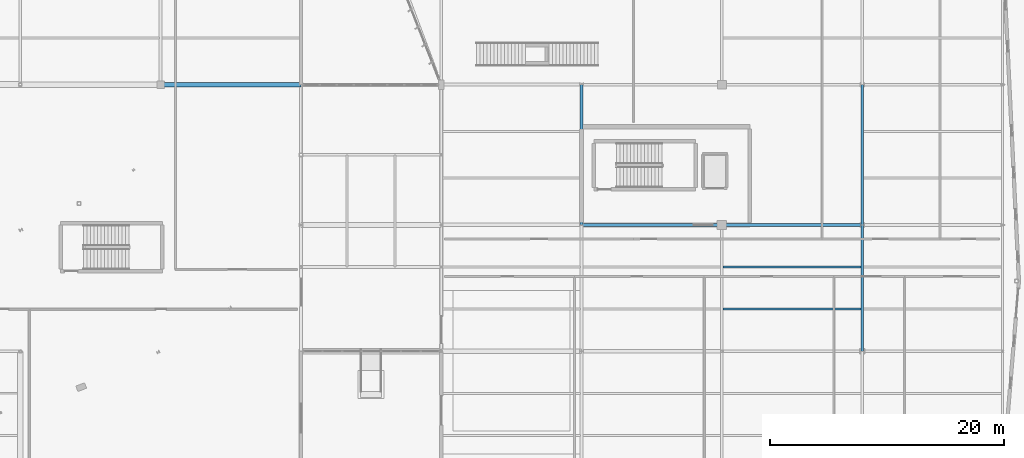
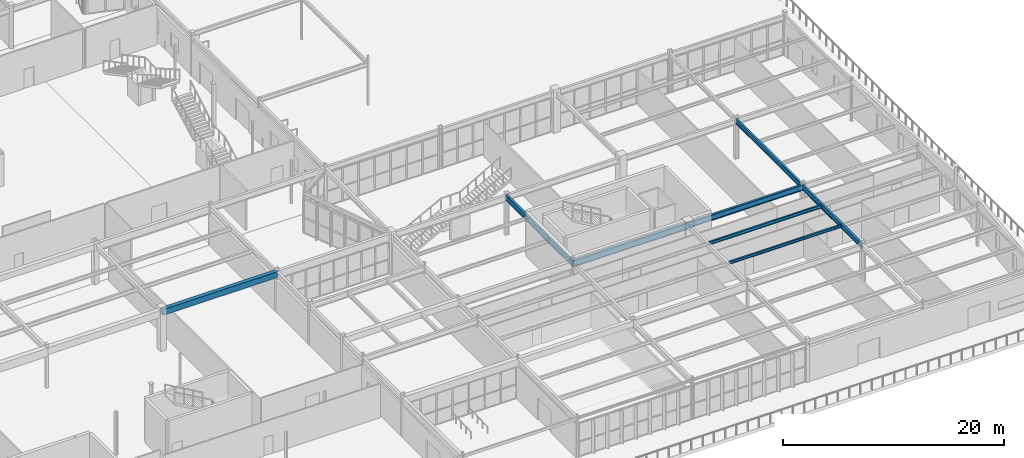
# One storey, part 91 of 199: 8 beams.
"""IFC4 building model written with IfcOpenShell, lengths in metres."""

from ifc_helpers import new_model, si_unit, direction, frame, origin, origin_2d, place, context, subcontext, project, spatial, rectangle, i_section, extrude, material, material_profile, profile_set, type_object, element, save


model = new_model("IFC4")

# Units and contexts
model_context = context("Model", 3, precision=1e-05, world=origin(), true_north=direction((0.0, 1.0)))
body_context = subcontext(model_context, "Body", "Model", "MODEL_VIEW")
ifc_project = project(units=[si_unit("LENGTHUNIT", "METRE"), si_unit("AREAUNIT", "SQUARE_METRE"), si_unit("VOLUMEUNIT", "CUBIC_METRE"), si_unit("PLANEANGLEUNIT", "RADIAN"), si_unit("MASSUNIT", "GRAM", prefix="KILO")], contexts=[model_context])

# Site, building, storey
site_placement = place(None, origin())
site = spatial("IfcSite", under=ifc_project, at=site_placement, CompositionType="ELEMENT")
building_placement = place(site_placement, origin())
building = spatial("IfcBuilding", under=site, at=building_placement, Name="Tarnwether General Hospital", CompositionType="ELEMENT")
storey_placement = place(building_placement, origin())
storey = spatial("IfcBuildingStorey", under=building, at=storey_placement, Name="L00", CompositionType="ELEMENT", Elevation=0.0)

# Beams
ifc_material_1 = material(Name="Steel Grade 350 (350 MPa)", Category="steel")
ifc_material_profile_1 = material_profile(ifc_material_1, i_section(OverallWidth=0.25, OverallDepth=0.69189453125, WebThickness=0.009033203125, FlangeThickness=0.01611328125, at=origin_2d()), Name="700WB115")
ifc_profile_set_1 = profile_set([ifc_material_profile_1], Name="Steel Grade 350 (350 MPa)")
beam_type_1 = type_object("IfcBeamType", Name="BM-G02", PredefinedType="BEAM", material=ifc_profile_set_1)
beam_1_placement = place(storey_placement, frame((156.0, 21.60009765625, 4.09912109375), z_axis=(1.0, 0.0, 0.0), x_axis=(0.0, 1.0, 0.0)))
element("IfcBeam", 1, at=beam_1_placement, inside=storey, type_object=beam_type_1, Name="Primary Girder BMG-L00-15600_2160-16800_2160-0809", PredefinedType="BEAM", context=body_context, shape_type="SweptSolid", body=[
    extrude(i_section(OverallWidth=0.25, OverallDepth=0.69189453125, WebThickness=0.009033203125, FlangeThickness=0.01611328125, at=origin_2d()), origin(), (0.0, 0.0, 1.0), 12.0),
])
ifc_material_2 = material(Name="Steel Grade 350 (350 MPa)", Category="steel")
ifc_material_profile_2 = material_profile(ifc_material_2, i_section(OverallWidth=0.22900390625, OverallDepth=0.612060546875, WebThickness=0.011962890625, FlangeThickness=0.01953125, at=origin_2d()), Name="610UB125")
ifc_profile_set_2 = profile_set([ifc_material_profile_2], Name="Steel Grade 350 (350 MPa)")
beam_type_2 = type_object("IfcBeamType", Name="BM-G03", PredefinedType="BEAM", material=ifc_profile_set_2)
beam_2_placement = place(storey_placement, frame((168.0, 21.60009765625, 4.138916015625), z_axis=(1.0, 0.0, 0.0), x_axis=(0.0, 1.0, 0.0)))
element("IfcBeam", 2, at=beam_2_placement, inside=storey, type_object=beam_type_2, Name="Primary Girder BMG-L00-16800_2160-18000_2160-0825", PredefinedType="BEAM", context=body_context, shape_type="SweptSolid", body=[
    extrude(i_section(OverallWidth=0.22900390625, OverallDepth=0.612060546875, WebThickness=0.011962890625, FlangeThickness=0.01953125, at=origin_2d()), origin(), (0.0, 0.0, 1.0), 12.0),
])
ifc_material_3 = material(Name="Steel Grade 350 (350 MPa)", Category="steel")
ifc_material_profile_3 = material_profile(ifc_material_3, i_section(OverallWidth=0.22802734375, OverallDepth=0.60205078125, WebThickness=0.010498046875, FlangeThickness=0.014892578125, at=origin_2d()), Name="610UB101")
ifc_profile_set_3 = profile_set([ifc_material_profile_3], Name="Steel Grade 350 (350 MPa)")
beam_type_3 = type_object("IfcBeamType", Name="BM-G05", PredefinedType="BEAM", material=ifc_profile_set_3)
beam_3_placement = place(storey_placement, frame((156.0, 21.60009765625, 4.14404296875), z_axis=(0.0, 1.0, 0.0), x_axis=(-1.0, 0.0, 0.0)))
element("IfcBeam", 3, at=beam_3_placement, inside=storey, type_object=beam_type_3, Name="Primary Girder BMG-L00-15600_2160-15600_3360-0810", PredefinedType="BEAM", context=body_context, shape_type="SweptSolid", body=[
    extrude(i_section(OverallWidth=0.22802734375, OverallDepth=0.60205078125, WebThickness=0.010498046875, FlangeThickness=0.014892578125, at=origin_2d()), origin(), (0.0, 0.0, 1.0), 12.0),
])
ifc_material_4 = material(Name="Steel Grade 350 (350 MPa)", Category="steel")
ifc_material_profile_4 = material_profile(ifc_material_4, i_section(OverallWidth=0.208984375, OverallDepth=0.532958984375, WebThickness=0.01025390625, FlangeThickness=0.015625, at=origin_2d()), Name="530UB92.4")
ifc_profile_set_4 = profile_set([ifc_material_profile_4], Name="Steel Grade 350 (350 MPa)")
beam_type_4 = type_object("IfcBeamType", Name="BM-G06", PredefinedType="BEAM", material=ifc_profile_set_4)
beam_4_placement = place(storey_placement, frame((180.0, 10.800048828125, 4.178466796875), z_axis=(0.0, 1.0, 0.0), x_axis=(-1.0, 0.0, 0.0)))
element("IfcBeam", 4, at=beam_4_placement, inside=storey, type_object=beam_type_4, Name="Primary Girder BMG-L00-18000_1080-18000_2160-0840", PredefinedType="BEAM", context=body_context, shape_type="SweptSolid", body=[
    extrude(i_section(OverallWidth=0.208984375, OverallDepth=0.532958984375, WebThickness=0.01025390625, FlangeThickness=0.015625, at=origin_2d()), origin(), (0.0, 0.0, 1.0), 10.800048828125),
])
ifc_material_5 = material(Name="Steel Grade 350 (350 MPa)", Category="steel")
ifc_material_profile_5 = material_profile(ifc_material_5, i_section(OverallWidth=0.208984375, OverallDepth=0.528076171875, WebThickness=0.009521484375, FlangeThickness=0.01318359375, at=origin_2d()), Name="530UB82.0")
ifc_profile_set_5 = profile_set([ifc_material_profile_5], Name="Steel Grade 350 (350 MPa)")
beam_type_5 = type_object("IfcBeamType", Name="BM-G07", PredefinedType="BEAM", material=ifc_profile_set_5)
beam_5_placement = place(storey_placement, frame((180.0, 21.60009765625, 4.180908203125), z_axis=(0.0, 1.0, 0.0), x_axis=(-1.0, 0.0, 0.0)))
element("IfcBeam", 5, at=beam_5_placement, inside=storey, type_object=beam_type_5, Name="Primary Girder BMG-L00-18000_2160-18000_3360-0842", PredefinedType="BEAM", context=body_context, shape_type="SweptSolid", body=[
    extrude(i_section(OverallWidth=0.208984375, OverallDepth=0.528076171875, WebThickness=0.009521484375, FlangeThickness=0.01318359375, at=origin_2d()), origin(), (0.0, 0.0, 1.0), 12.0),
])
ifc_material_6 = material(Name="Concrete 40 MPa", Category="concrete")
ifc_material_profile_6 = material_profile(ifc_material_6, rectangle(XDim=0.39990234375, YDim=0.64990234375, at=origin_2d()), Name="RC-BM-400x650")
ifc_profile_set_6 = profile_set([ifc_material_profile_6], Name="Concrete 40 MPa")
beam_type_6 = type_object("IfcBeamType", Name="BM-G14", PredefinedType="BEAM", material=ifc_profile_set_6)
beam_6_placement = place(storey_placement, frame((120.0, 33.60009765625, 4.1201171875), z_axis=(1.0, 0.0, 0.0), x_axis=(0.0, 1.0, 0.0)))
element("IfcBeam", 6, at=beam_6_placement, inside=storey, type_object=beam_type_6, Name="Primary Girder BMG-L00-12000_3360-13200_3360-0759", PredefinedType="BEAM", context=body_context, shape_type="SweptSolid", body=[
    extrude(rectangle(XDim=0.39990234375, YDim=0.64990234375, at=origin_2d()), origin(), (0.0, 0.0, 1.0), 12.0),
])
ifc_material_7 = material(Name="Steel Grade 350 (350 MPa)", Category="steel")
ifc_material_profile_7 = material_profile(ifc_material_7, i_section(OverallWidth=0.166015625, OverallDepth=0.306884765625, WebThickness=0.006591796875, FlangeThickness=0.01171875, at=origin_2d()), Name="310UB46.2")
ifc_profile_set_7 = profile_set([ifc_material_profile_7], Name="Steel Grade 350 (350 MPa)")
beam_type_7 = type_object("IfcBeamType", Name="BM-J05", PredefinedType="JOIST", material=ifc_profile_set_7)
beam_7_placement = place(storey_placement, frame((168.10791015625, 14.39990234375, 4.29150390625), z_axis=(1.0, 0.0, 0.0), x_axis=(0.0, 1.0, 0.0)))
element("IfcBeam", 7, at=beam_7_placement, inside=storey, type_object=beam_type_7, Name="Composite Floor Joist BMG-L00-16811_1440-17990_1440-1019", PredefinedType="JOIST", context=body_context, shape_type="SweptSolid", body=[
    extrude(i_section(OverallWidth=0.166015625, OverallDepth=0.306884765625, WebThickness=0.006591796875, FlangeThickness=0.01171875, at=origin_2d()), origin(), (0.0, 0.0, 1.0), 11.79296875),
])
ifc_material_8 = material(Name="Steel Grade 350 (350 MPa)", Category="steel")
ifc_material_profile_8 = material_profile(ifc_material_8, i_section(OverallWidth=0.1708984375, OverallDepth=0.35205078125, WebThickness=0.0068359375, FlangeThickness=0.009765625, at=origin_2d()), Name="360UB44.7")
ifc_profile_set_8 = profile_set([ifc_material_profile_8], Name="Steel Grade 350 (350 MPa)")
beam_type_8 = type_object("IfcBeamType", Name="BM-J06", PredefinedType="JOIST", material=ifc_profile_set_8)
beam_8_placement = place(storey_placement, frame((168.10791015625, 18.0, 4.26904296875), z_axis=(1.0, 0.0, 0.0), x_axis=(0.0, 1.0, 0.0)))
element("IfcBeam", 8, at=beam_8_placement, inside=storey, type_object=beam_type_8, Name="Composite Floor Joist BMG-L00-16811_1800-17990_1800-1020", PredefinedType="JOIST", context=body_context, shape_type="SweptSolid", body=[
    extrude(i_section(OverallWidth=0.1708984375, OverallDepth=0.35205078125, WebThickness=0.0068359375, FlangeThickness=0.009765625, at=origin_2d()), origin(), (0.0, 0.0, 1.0), 11.79296875),
])

save(model, "model.ifc")
